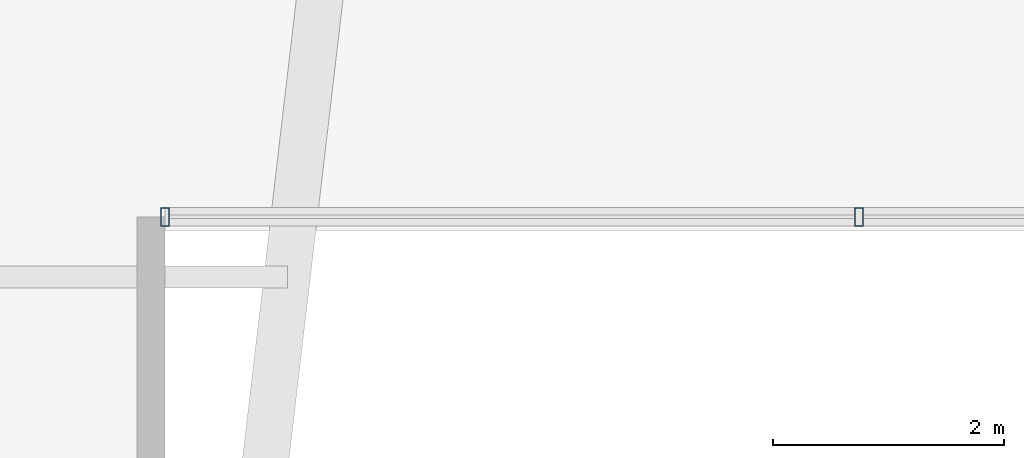
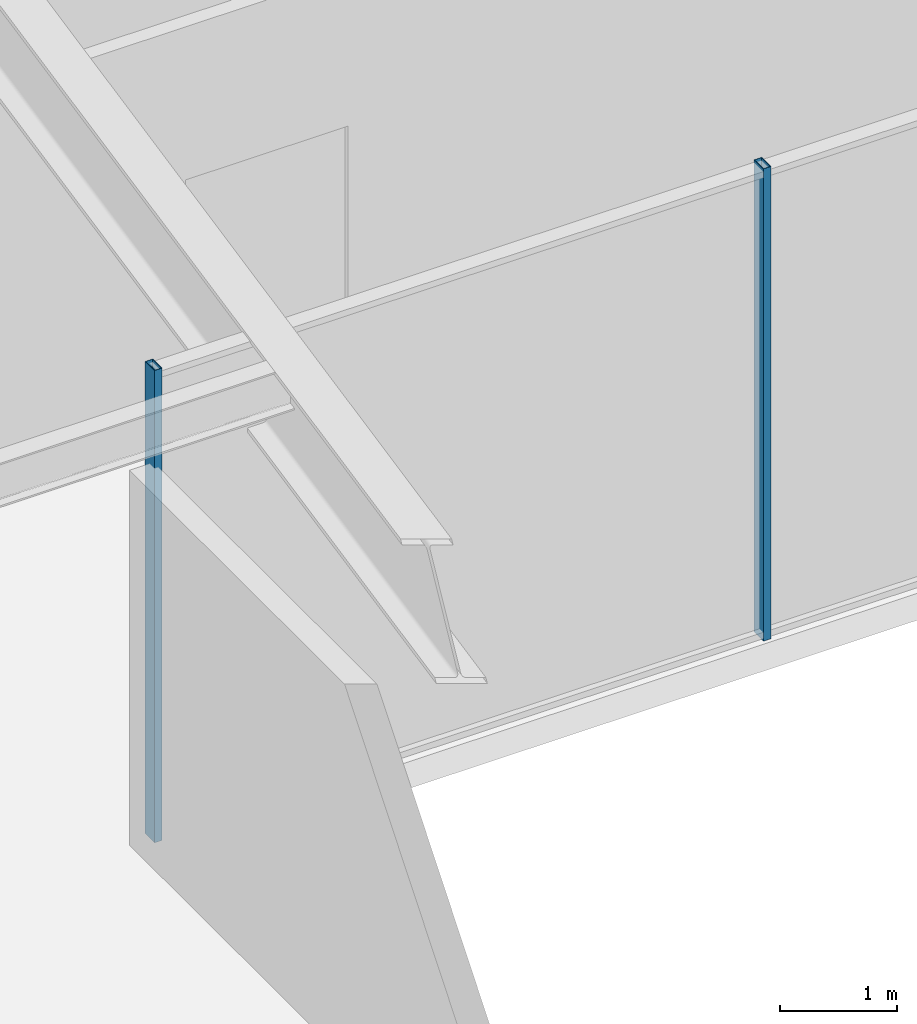
# One storey, part 10 of 49: 2 members, 1 element without a shape of its own.
"""IFC4 building model written with IfcOpenShell, lengths in metres."""

from ifc_helpers import new_model, si_unit, direction, frame, origin, origin_2d, place, context, subcontext, project, spatial, hollow_rectangle, extrude, material, material_profile, profile_set, type_object, element, aggregate, save


model = new_model("IFC4")

# Units and contexts
model_context = context("Model", 3, precision=1e-05, world=origin(), true_north=direction((0.0, 1.0)))
body_context = subcontext(model_context, "Body", "Model", "MODEL_VIEW")
ifc_project = project(units=[si_unit("LENGTHUNIT", "METRE"), si_unit("AREAUNIT", "SQUARE_METRE"), si_unit("VOLUMEUNIT", "CUBIC_METRE"), si_unit("PLANEANGLEUNIT", "RADIAN"), si_unit("MASSUNIT", "GRAM", prefix="KILO")], contexts=[model_context])

# Site, building, storey
site_placement = place(None, origin())
site = spatial("IfcSite", under=ifc_project, at=site_placement, CompositionType="ELEMENT")
building_placement = place(site_placement, origin())
building = spatial("IfcBuilding", under=site, at=building_placement, Name="Kolvaren Belvedere", CompositionType="ELEMENT")
storey_placement = place(building_placement, frame((0.0, 0.0, 10.0)))
storey = spatial("IfcBuildingStorey", under=building, at=storey_placement, Name="L03", CompositionType="ELEMENT", Elevation=10.0)

# Curtain wall, members
ifc_material_1 = material(Name="Anodised pale-metal aluminium AA 6063-T6", Category="aluminium")
curtain_wall_type = type_object("IfcCurtainWallType", Name="CW-POD-A", PredefinedType="NOTDEFINED", material=ifc_material_1)
curtain_wall_placement = place(storey_placement, origin())
curtain_wall = element("IfcCurtainWall", 1, at=curtain_wall_placement, inside=storey, type_object=curtain_wall_type, Name="L03 Unitised Curtain Wall FCW-L03-SEG3", PredefinedType="NOTDEFINED")
ifc_material_2 = material(Name="Anodised pale-metal aluminium AA 6063-T6", Category="aluminium")
ifc_material_profile = material_profile(ifc_material_2, hollow_rectangle(XDim=0.074951171875, YDim=0.159912109375, WallThickness=0.00439453125, at=origin_2d()), Name="ALU-MUL-160X75")
ifc_profile_set = profile_set([ifc_material_profile], Name="Anodised pale-metal aluminium AA 6063-T6")
member_type = type_object("IfcMemberType", Name="CW-MUL-160", PredefinedType="MULLION", material=ifc_profile_set)
member_1_placement = place(storey_placement, frame((-6.0, -18.280029296875, 0.0), z_axis=(0.0, 0.0, 1.0), x_axis=(1.0, 0.0, 0.0)))
member_1 = element("IfcMember", 2, at=member_1_placement, type_object=member_type, Name="FCW-L03-SEG3 Unitised Mullion 4", PredefinedType="MULLION", context=body_context, shape_type="SweptSolid", body=[
    extrude(hollow_rectangle(XDim=0.074951171875, YDim=0.159912109375, WallThickness=0.00439453125, at=origin_2d()), origin(), (0.0, 0.0, 1.0), 4.919921875),
])
member_2_placement = place(storey_placement, frame((-12.0, -18.280029296875, 0.0), z_axis=(0.0, 0.0, 1.0), x_axis=(1.0, 0.0, 0.0)))
member_2 = element("IfcMember", 3, at=member_2_placement, type_object=member_type, Name="FCW-L03-SEG3 Unitised Mullion 5", PredefinedType="MULLION", context=body_context, shape_type="SweptSolid", body=[
    extrude(hollow_rectangle(XDim=0.074951171875, YDim=0.159912109375, WallThickness=0.00439453125, at=origin_2d()), origin(), (0.0, 0.0, 1.0), 4.919921875),
])
aggregate(curtain_wall, [member_1, member_2])

save(model, "model.ifc")
